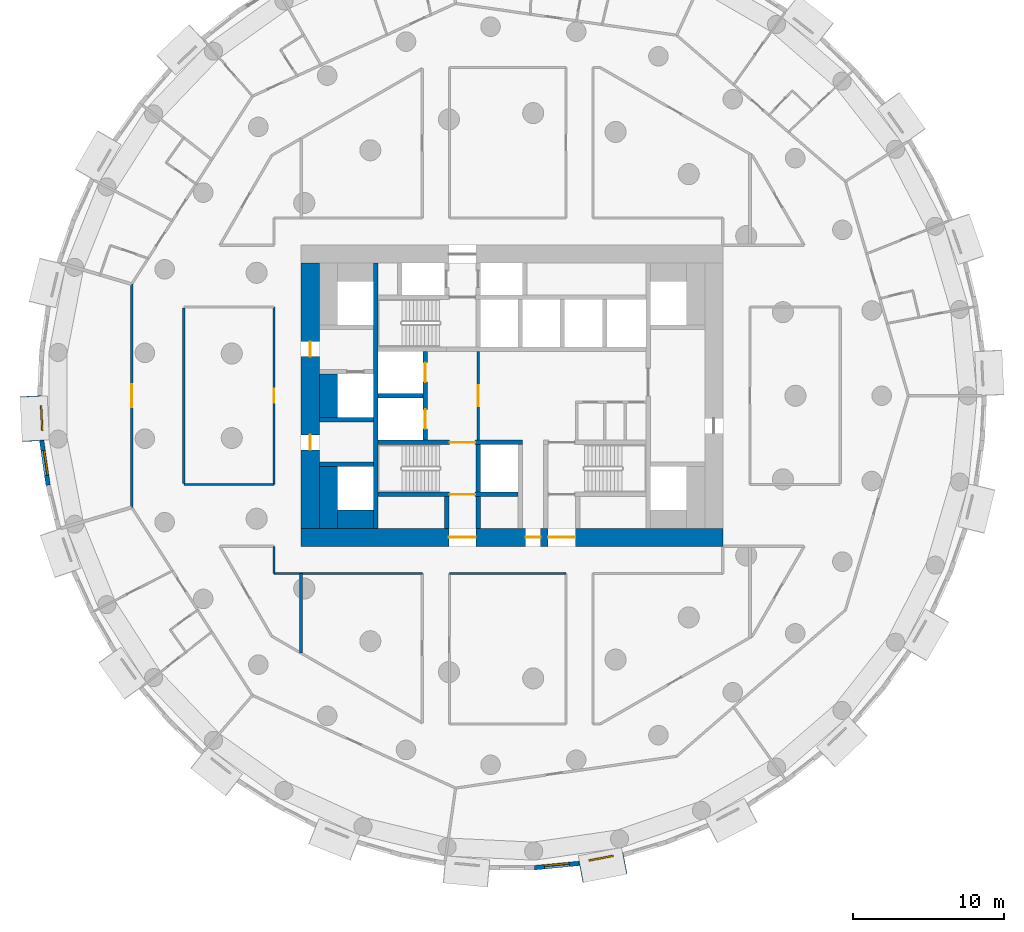
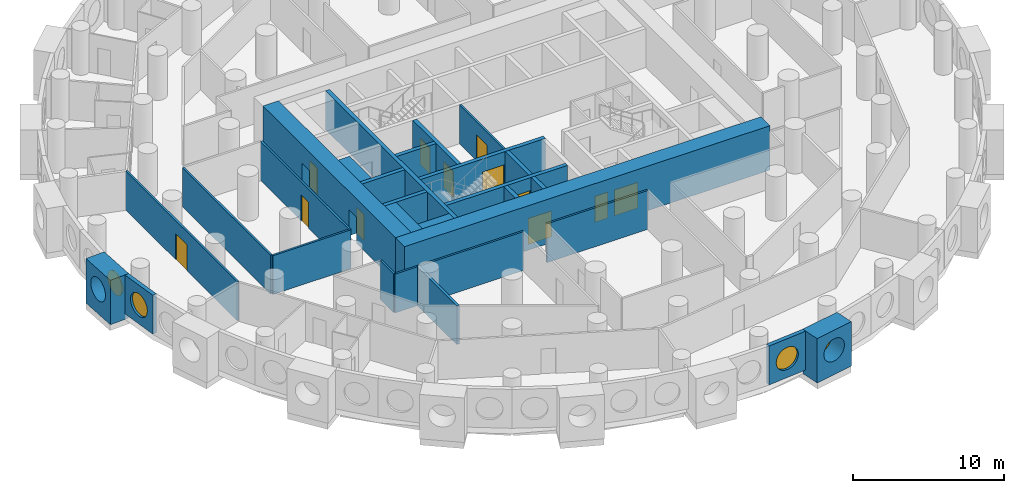
# One storey, part 4 of 12: 28 walls, 12 doors, 4 windows, 16 openings.
"""IFC4 building model written with IfcOpenShell, lengths in metres."""

from ifc_helpers import new_model, si_unit, direction, frame, frame_2d, origin, origin_2d, place, context, subcontext, project, spatial, rectangle, circle, extrude, material, layer, layer_set, type_object, element, fill, save


model = new_model("IFC4")

# Units and contexts
model_context = context("Model", 3, precision=1e-05, world=origin(), true_north=direction((0.0, 1.0)))
body_context = subcontext(model_context, "Body", "Model", "MODEL_VIEW")
ifc_project = project(units=[si_unit("LENGTHUNIT", "METRE"), si_unit("AREAUNIT", "SQUARE_METRE"), si_unit("VOLUMEUNIT", "CUBIC_METRE"), si_unit("PLANEANGLEUNIT", "RADIAN"), si_unit("MASSUNIT", "GRAM", prefix="KILO")], contexts=[model_context])

# Site, building, storey
site_placement = place(None, origin())
site = spatial("IfcSite", under=ifc_project, at=site_placement, CompositionType="ELEMENT")
building_placement = place(site_placement, origin())
building = spatial("IfcBuilding", under=site, at=building_placement, Name="Tracery Tower", CompositionType="ELEMENT")
storey_placement = place(building_placement, frame((0.0, 0.0, 82.199951171875)))
storey = spatial("IfcBuildingStorey", under=building, at=storey_placement, Name="L20", CompositionType="ELEMENT", Elevation=82.199951171875)

# Wall, opening, door
ifc_material_1 = material(Name="Plasterboard on steel studs", Category="steel")
ifc_layer_1 = layer(ifc_material_1, 0.14990234375)
ifc_layer_set_1 = layer_set([ifc_layer_1], Name="Core lobby partition 150")
wall_type_1 = type_object("IfcWallType", Name="Core lobby partition 150", PredefinedType="SOLIDWALL", material=ifc_layer_set_1)
wall_1_placement = place(storey_placement, frame((-2.25, -2.949951171875, 0.0), z_axis=(0.0, 0.0, 1.0), x_axis=(0.0, 1.0, 0.0)))
wall_1 = element("IfcWall", 1, at=wall_1_placement, inside=storey, type_object=wall_type_1, Name="L20 FF lobby E", PredefinedType="SOLIDWALL", context=body_context, shape_type="SweptSolid", body=[
    extrude(rectangle(XDim=5.89990234375, YDim=0.14990234375, at=frame_2d((2.949951171875, 0.0))), origin(), (0.0, 0.0, 1.0), 3.150146484375),
])
opening_1_placement = place(wall_1_placement, frame((2.25, 0.0, 0.0)))
opening_1 = element("IfcOpeningElement", 2, at=opening_1_placement, cuts=wall_1, Name="Opening KD8", PredefinedType="OPENING", context=body_context, shape_type="SweptSolid", body=[
    extrude(rectangle(XDim=1.39990234375, YDim=2.10009765625, at=frame_2d((0.699951171875, 1.050048828125))), frame((0.0, 0.074951171875, 0.0), z_axis=(0.0, -1.0, 0.0), x_axis=(1.0, 0.0, 0.0)), (0.0, 0.0, 1.0), 0.14990234375),
])
ifc_material_2 = material(Name="Steel fire door", Category="steel")
door_type_1 = type_object("IfcDoorType", Name="Core lobby door 1400 double", OperationType="NOTDEFINED", PredefinedType="DOOR", material=ifc_material_2)
door_1_placement = place(opening_1_placement, origin())
door_1 = element("IfcDoor", 3, at=door_1_placement, inside=storey, type_object=door_type_1, Name="Fire-fighting lobby door", OperationType="DOUBLE_DOOR_SINGLE_SWING", OverallHeight=2.10009765625, OverallWidth=1.39990234375, PredefinedType="DOOR", context=body_context, shape_type="SweptSolid", body=[
    extrude(rectangle(XDim=1.39990234375, YDim=2.10009765625, at=frame_2d((0.699951171875, 1.050048828125))), frame((0.0, 0.02490234375, 0.0), z_axis=(0.0, -1.0, 0.0), x_axis=(1.0, 0.0, 0.0)), (0.0, 0.0, 1.0), 0.050048828125),
])
fill(opening_1, door_1)

# Walls
ifc_material_3 = material(Name="Concrete C60/75", Category="concrete")
ifc_layer_2 = layer(ifc_material_3, 1.199951171875)
ifc_layer_set_2 = layer_set([ifc_layer_2], Name="Core strip wall 1200 C60")
wall_type_2 = type_object("IfcWallType", Name="Core strip wall 1200 C60", PredefinedType="SOLIDWALL", material=ifc_layer_set_2)
wall_2_placement = place(storey_placement, frame((-12.199951171875, -8.800048828125, 0.0), z_axis=(0.0, 0.0, 1.0), x_axis=(0.0, 1.0, 0.0)))
element("IfcWall", 4, at=wall_2_placement, inside=storey, type_object=wall_type_2, Name="L20 wing strip -1 -9.4", PredefinedType="SOLIDWALL", context=body_context, shape_type="SweptSolid", body=[
    extrude(rectangle(XDim=4.10009765625, YDim=1.199951171875, at=frame_2d((2.050048828125, 0.0))), origin(), (0.0, 0.0, 1.0), 3.150146484375),
])
wall_3_placement = place(storey_placement, frame((-12.199951171875, -1.449951171875, 0.0), z_axis=(0.0, 0.0, 1.0), x_axis=(0.0, 1.0, 0.0)))
element("IfcWall", 5, at=wall_3_placement, inside=storey, type_object=wall_type_2, Name="L20 wing strip -1 -1.6", PredefinedType="SOLIDWALL", context=body_context, shape_type="SweptSolid", body=[
    extrude(rectangle(XDim=2.89990234375, YDim=1.199951171875, at=frame_2d((1.449951171875, 0.0))), origin(), (0.0, 0.0, 1.0), 3.150146484375),
])
wall_4_placement = place(storey_placement, frame((-11.60009765625, -8.199951171875, 0.0), z_axis=(0.0, 0.0, 1.0), x_axis=(1.0, 0.0, 0.0)))
element("IfcWall", 6, at=wall_4_placement, inside=storey, type_object=wall_type_2, Name="L20 wing corner -1 -8.2", PredefinedType="SOLIDWALL", context=body_context, shape_type="SweptSolid", body=[
    extrude(rectangle(XDim=2.400146484375, YDim=1.199951171875, at=frame_2d((1.2001953125, 0.0))), origin(), (0.0, 0.0, 1.0), 3.150146484375),
])

# Wall, openings, doors
ifc_material_4 = material(Name="Concrete C60/75", Category="concrete")
ifc_layer_3 = layer(ifc_material_4, 1.199951171875)
ifc_layer_set_3 = layer_set([ifc_layer_3], Name="Core wall 1200 C60")
wall_type_3 = type_object("IfcWallType", Name="Core wall 1200 C60", PredefinedType="SOLIDWALL", material=ifc_layer_set_3)
wall_5_placement = place(storey_placement, frame((-14.0, -9.39990234375, 0.0), z_axis=(0.0, 0.0, 1.0), x_axis=(1.0, 0.0, 0.0)))
wall_5 = element("IfcWall", 7, at=wall_5_placement, inside=storey, type_object=wall_type_3, Name="L20 outer S", PredefinedType="SOLIDWALL", context=body_context, shape_type="SweptSolid", body=[
    extrude(rectangle(XDim=28.0, YDim=1.199951171875, at=frame_2d((14.0, 0.0))), origin(), (0.0, 0.0, 1.0), 3.60009765625),
])
opening_2_placement = place(wall_5_placement, frame((14.89990234375, 0.0, 0.0)))
opening_2 = element("IfcOpeningElement", 8, at=opening_2_placement, cuts=wall_5, Name="Opening KD16", PredefinedType="OPENING", context=body_context, shape_type="SweptSolid", body=[
    extrude(rectangle(XDim=1.0, YDim=2.10009765625, at=frame_2d((0.5, 1.050048828125))), frame((0.0, 0.60009765625, 0.0), z_axis=(0.0, -1.0, 0.0), x_axis=(1.0, 0.0, 0.0)), (0.0, 0.0, 1.0), 1.199951171875),
])
opening_3_placement = place(wall_5_placement, frame((9.800048828125, 0.0, 0.0)))
opening_3 = element("IfcOpeningElement", 9, at=opening_3_placement, cuts=wall_5, Name="Opening KD13", PredefinedType="OPENING", context=body_context, shape_type="SweptSolid", body=[
    extrude(rectangle(XDim=1.800048828125, YDim=2.10009765625, at=frame_2d((0.89990234375, 1.050048828125))), frame((0.0, 0.60009765625, 0.0), z_axis=(0.0, -1.0, 0.0), x_axis=(1.0, 0.0, 0.0)), (0.0, 0.0, 1.0), 1.199951171875),
])
opening_4_placement = place(wall_5_placement, frame((16.39990234375, 0.0, 0.0)))
opening_4 = element("IfcOpeningElement", 10, at=opening_4_placement, cuts=wall_5, Name="Opening KD13", PredefinedType="OPENING", context=body_context, shape_type="SweptSolid", body=[
    extrude(rectangle(XDim=1.800048828125, YDim=2.10009765625, at=frame_2d((0.89990234375, 1.050048828125))), frame((0.0, 0.60009765625, 0.0), z_axis=(0.0, -1.0, 0.0), x_axis=(1.0, 0.0, 0.0)), (0.0, 0.0, 1.0), 1.199951171875),
])
ifc_material_5 = material(Name="Steel fire door", Category="steel")
door_type_2 = type_object("IfcDoorType", Name="Core exit door 1000", OperationType="NOTDEFINED", PredefinedType="DOOR", material=ifc_material_5)
door_2_placement = place(opening_2_placement, origin())
door_2 = element("IfcDoor", 11, at=door_2_placement, inside=storey, type_object=door_type_2, Name="Core exit door", OperationType="SINGLE_SWING_LEFT", OverallHeight=2.10009765625, OverallWidth=1.0, PredefinedType="DOOR", context=body_context, shape_type="SweptSolid", body=[
    extrude(rectangle(XDim=1.0, YDim=2.10009765625, at=frame_2d((0.5, 1.050048828125))), frame((0.0, 0.02490234375, 0.0), z_axis=(0.0, -1.0, 0.0), x_axis=(1.0, 0.0, 0.0)), (0.0, 0.0, 1.0), 0.050048828125),
])
fill(opening_2, door_2)
ifc_material_6 = material(Name="Steel fire door", Category="steel")
door_type_3 = type_object("IfcDoorType", Name="Core exit door 1800 double", OperationType="NOTDEFINED", PredefinedType="DOOR", material=ifc_material_6)
door_3_placement = place(opening_3_placement, origin())
door_3 = element("IfcDoor", 12, at=door_3_placement, inside=storey, type_object=door_type_3, Name="Core exit door", OperationType="DOUBLE_DOOR_SINGLE_SWING", OverallHeight=2.10009765625, OverallWidth=1.800048828125, PredefinedType="DOOR", context=body_context, shape_type="SweptSolid", body=[
    extrude(rectangle(XDim=1.800048828125, YDim=2.10009765625, at=frame_2d((0.89990234375, 1.050048828125))), frame((0.0, 0.02490234375, 0.0), z_axis=(0.0, -1.0, 0.0), x_axis=(1.0, 0.0, 0.0)), (0.0, 0.0, 1.0), 0.050048828125),
])
fill(opening_3, door_3)
door_4_placement = place(opening_4_placement, origin())
door_4 = element("IfcDoor", 13, at=door_4_placement, inside=storey, type_object=door_type_3, Name="Core exit door", OperationType="DOUBLE_DOOR_SINGLE_SWING", OverallHeight=2.10009765625, OverallWidth=1.800048828125, PredefinedType="DOOR", context=body_context, shape_type="SweptSolid", body=[
    extrude(rectangle(XDim=1.800048828125, YDim=2.10009765625, at=frame_2d((0.89990234375, 1.050048828125))), frame((0.0, 0.02490234375, 0.0), z_axis=(0.0, -1.0, 0.0), x_axis=(1.0, 0.0, 0.0)), (0.0, 0.0, 1.0), 0.050048828125),
])
fill(opening_4, door_4)

wall_6_placement = place(storey_placement, frame((-13.39990234375, -8.800048828125, 0.0), z_axis=(0.0, 0.0, 1.0), x_axis=(0.0, 1.0, 0.0)))
wall_6 = element("IfcWall", 14, at=wall_6_placement, inside=storey, type_object=wall_type_3, Name="L20 outer W", PredefinedType="SOLIDWALL", context=body_context, shape_type="SweptSolid", body=[
    extrude(rectangle(XDim=17.60009765625, YDim=1.199951171875, at=frame_2d((8.800048828125, 0.0))), origin(), (0.0, 0.0, 1.0), 3.60009765625),
])
opening_5_placement = place(wall_6_placement, frame((5.199951171875, 0.0, 0.0)))
opening_5 = element("IfcOpeningElement", 15, at=opening_5_placement, cuts=wall_6, Name="Opening KD18", PredefinedType="OPENING", context=body_context, shape_type="SweptSolid", body=[
    extrude(rectangle(XDim=1.0, YDim=2.10009765625, at=frame_2d((0.5, 1.050048828125))), frame((0.0, 0.60009765625, 0.0), z_axis=(0.0, -1.0, 0.0), x_axis=(1.0, 0.0, 0.0)), (0.0, 0.0, 1.0), 1.199951171875),
])
opening_6_placement = place(wall_6_placement, frame((11.39990234375, 0.0, 0.0)))
opening_6 = element("IfcOpeningElement", 16, at=opening_6_placement, cuts=wall_6, Name="Opening KD18", PredefinedType="OPENING", context=body_context, shape_type="SweptSolid", body=[
    extrude(rectangle(XDim=1.0, YDim=2.10009765625, at=frame_2d((0.5, 1.050048828125))), frame((0.0, 0.60009765625, 0.0), z_axis=(0.0, -1.0, 0.0), x_axis=(1.0, 0.0, 0.0)), (0.0, 0.0, 1.0), 1.199951171875),
])
door_5_placement = place(opening_5_placement, origin())
door_5 = element("IfcDoor", 17, at=door_5_placement, inside=storey, type_object=door_type_2, Name="Core exit door", OperationType="DOUBLE_DOOR_SINGLE_SWING", OverallHeight=2.10009765625, OverallWidth=1.0, PredefinedType="DOOR", context=body_context, shape_type="SweptSolid", body=[
    extrude(rectangle(XDim=1.0, YDim=2.10009765625, at=frame_2d((0.5, 1.050048828125))), frame((0.0, 0.02490234375, 0.0), z_axis=(0.0, -1.0, 0.0), x_axis=(1.0, 0.0, 0.0)), (0.0, 0.0, 1.0), 0.050048828125),
])
fill(opening_5, door_5)
door_6_placement = place(opening_6_placement, origin())
door_6 = element("IfcDoor", 18, at=door_6_placement, inside=storey, type_object=door_type_2, Name="Core exit door", OperationType="DOUBLE_DOOR_SINGLE_SWING", OverallHeight=2.10009765625, OverallWidth=1.0, PredefinedType="DOOR", context=body_context, shape_type="SweptSolid", body=[
    extrude(rectangle(XDim=1.0, YDim=2.10009765625, at=frame_2d((0.5, 1.050048828125))), frame((0.0, 0.02490234375, 0.0), z_axis=(0.0, -1.0, 0.0), x_axis=(1.0, 0.0, 0.0)), (0.0, 0.0, 1.0), 0.050048828125),
])
fill(opening_6, door_6)

# Wall, opening, window
ifc_material_7 = material(Name="Precast concrete C50/60", Category="concrete")
ifc_layer_4 = layer(ifc_material_7, 1.449951171875)
ifc_layer_set_4 = layer_set([ifc_layer_4], Name="Deep-set bay unit 3000 x 3600, slab edge 450")
wall_type_4 = type_object("IfcWallType", Name="Deep-set bay unit 3000 x 3600, slab edge 450", PredefinedType="ELEMENTEDWALL", material=ifc_layer_set_4)
wall_7_placement = place(storey_placement, frame((-31.94921875, -0.020263671875, -0.449951171875), z_axis=(0.0, 0.0, 1.0), x_axis=(0.047607680889, -0.998866111509, 0.0)))
wall_7 = element("IfcWall", 19, at=wall_7_placement, inside=storey, type_object=wall_type_4, Name="Deep-set bay unit 34 at L20", PredefinedType="ELEMENTEDWALL", context=body_context, shape_type="SweptSolid", body=[
    extrude(rectangle(XDim=3.0, YDim=1.449951171875, at=frame_2d((1.5, 0.0))), origin(), (0.0, 0.0, 1.0), 3.60009765625),
])
opening_7_placement = place(wall_7_placement, frame((1.5, 0.0, 2.0)))
opening_7 = element("IfcOpeningElement", 20, at=opening_7_placement, cuts=wall_7, Name="Opening WN1", PredefinedType="OPENING", context=body_context, shape_type="SweptSolid", body=[
    extrude(circle(Radius=0.9000244140625, at=origin_2d()), frame((0.0, 0.73486328125, 0.0), z_axis=(0.0, -1.0, 0.0), x_axis=(1.0, 0.0, 0.0)), (0.0, 0.0, 1.0), 1.469970703125),
])
ifc_material_8 = material(Name="Aluminium frame with tinted double glazing", Category="aluminium")
window_type = type_object("IfcWindowType", Name="Round window 1800", PartitioningType="SINGLE_PANEL", PredefinedType="WINDOW", material=ifc_material_8)
window_1_placement = place(opening_7_placement, origin())
window_1 = element("IfcWindow", 21, at=window_1_placement, inside=storey, type_object=window_type, Name="Round window 34 at L20", OverallHeight=1.800048828125, OverallWidth=1.800048828125, PartitioningType="SINGLE_PANEL", PredefinedType="WINDOW", context=body_context, shape_type="SweptSolid", body=[
    extrude(circle(Radius=0.9000244140625, at=origin_2d()), frame((0.0, 0.69482421875, 0.0), z_axis=(0.0, -1.0, 0.0), x_axis=(1.0, 0.0, 0.0)), (0.0, 0.0, 1.0), 0.10009765625),
])
fill(opening_7, window_1)

wall_8_placement = place(storey_placement, frame((4.56689453125, -31.62109375, -0.449951171875), z_axis=(0.0, 0.0, 1.0), x_axis=(0.981921602273, 0.189288052949, 0.0)))
wall_8 = element("IfcWall", 22, at=wall_8_placement, inside=storey, type_object=wall_type_4, Name="Deep-set bay unit 52 at L20", PredefinedType="ELEMENTEDWALL", context=body_context, shape_type="SweptSolid", body=[
    extrude(rectangle(XDim=3.0, YDim=1.449951171875, at=frame_2d((1.5, 0.0))), origin(), (0.0, 0.0, 1.0), 3.60009765625),
])
opening_8_placement = place(wall_8_placement, frame((1.5, 0.0, 2.0)))
opening_8 = element("IfcOpeningElement", 23, at=opening_8_placement, cuts=wall_8, Name="Opening WN1", PredefinedType="OPENING", context=body_context, shape_type="SweptSolid", body=[
    extrude(circle(Radius=0.9000244140625, at=origin_2d()), frame((0.0, 0.73486328125, 0.0), z_axis=(0.0, -1.0, 0.0), x_axis=(1.0, 0.0, 0.0)), (0.0, 0.0, 1.0), 1.469970703125),
])
window_2_placement = place(opening_8_placement, origin())
window_2 = element("IfcWindow", 24, at=window_2_placement, inside=storey, type_object=window_type, Name="Round window 52 at L20", OverallHeight=1.800048828125, OverallWidth=1.800048828125, PartitioningType="SINGLE_PANEL", PredefinedType="WINDOW", context=body_context, shape_type="SweptSolid", body=[
    extrude(circle(Radius=0.9000244140625, at=origin_2d()), frame((0.0, 0.69482421875, 0.0), z_axis=(0.0, -1.0, 0.0), x_axis=(1.0, 0.0, 0.0)), (0.0, 0.0, 1.0), 0.10009765625),
])
fill(opening_8, window_2)

ifc_material_9 = material(Name="Precast concrete C50/60", Category="concrete")
ifc_layer_5 = layer(ifc_material_9, 0.300048828125)
ifc_layer_set_5 = layer_set([ifc_layer_5], Name="Facade panel 3000 x 3150")
wall_type_5 = type_object("IfcWallType", Name="Facade panel 3000 x 3150", PredefinedType="SOLIDWALL", material=ifc_layer_set_5)
wall_9_placement = place(storey_placement, frame((-31.2314453125, -2.98828125, 0.0), z_axis=(0.0, 0.0, 1.0), x_axis=(0.142315996627, -0.989821275334, 0.0)))
wall_9 = element("IfcWall", 25, at=wall_9_placement, inside=storey, type_object=wall_type_5, Name="Facade panel 35 at L20", PredefinedType="SOLIDWALL", context=body_context, shape_type="SweptSolid", body=[
    extrude(rectangle(XDim=2.979736328125, YDim=0.300048828125, at=frame_2d((1.48974609375, 0.0))), origin(), (0.0, 0.0, 1.0), 3.150146484375),
])
opening_9_placement = place(wall_9_placement, frame((1.48974609375, 0.0, 1.5498046875)))
opening_9 = element("IfcOpeningElement", 26, at=opening_9_placement, cuts=wall_9, Name="Opening WN1", PredefinedType="OPENING", context=body_context, shape_type="SweptSolid", body=[
    extrude(circle(Radius=0.9000244140625, at=origin_2d()), frame((0.0, 0.159912109375, 0.0), z_axis=(0.0, -1.0, 0.0), x_axis=(1.0, 0.0, 0.0)), (0.0, 0.0, 1.0), 0.320068359375),
])
window_3_placement = place(opening_9_placement, origin())
window_3 = element("IfcWindow", 27, at=window_3_placement, inside=storey, type_object=window_type, Name="Round window 35 at L20", OverallHeight=1.800048828125, OverallWidth=1.800048828125, PartitioningType="SINGLE_PANEL", PredefinedType="WINDOW", context=body_context, shape_type="SweptSolid", body=[
    extrude(circle(Radius=0.9000244140625, at=origin_2d()), frame((0.0, 0.1201171875, 0.0), z_axis=(0.0, -1.0, 0.0), x_axis=(1.0, 0.0, 0.0)), (0.0, 0.0, 1.0), 0.10009765625),
])
fill(opening_9, window_3)

wall_10_placement = place(storey_placement, frame((1.492919921875, -31.3388671875, 0.0), z_axis=(0.0, 0.0, 1.0), x_axis=(0.995472611385, 0.095048829468, 0.0)))
wall_10 = element("IfcWall", 28, at=wall_10_placement, inside=storey, type_object=wall_type_5, Name="Facade panel 51 at L20", PredefinedType="SOLIDWALL", context=body_context, shape_type="SweptSolid", body=[
    extrude(rectangle(XDim=2.9794921875, YDim=0.300048828125, at=frame_2d((1.48974609375, 0.0))), origin(), (0.0, 0.0, 1.0), 3.150146484375),
])
opening_10_placement = place(wall_10_placement, frame((1.48974609375, 0.0, 1.5498046875)))
opening_10 = element("IfcOpeningElement", 29, at=opening_10_placement, cuts=wall_10, Name="Opening WN1", PredefinedType="OPENING", context=body_context, shape_type="SweptSolid", body=[
    extrude(circle(Radius=0.9000244140625, at=origin_2d()), frame((0.0, 0.159912109375, 0.0), z_axis=(0.0, -1.0, 0.0), x_axis=(1.0, 0.0, 0.0)), (0.0, 0.0, 1.0), 0.320068359375),
])
window_4_placement = place(opening_10_placement, origin())
window_4 = element("IfcWindow", 30, at=window_4_placement, inside=storey, type_object=window_type, Name="Round window 51 at L20", OverallHeight=1.800048828125, OverallWidth=1.800048828125, PartitioningType="SINGLE_PANEL", PredefinedType="WINDOW", context=body_context, shape_type="SweptSolid", body=[
    extrude(circle(Radius=0.9000244140625, at=origin_2d()), frame((0.0, 0.1201171875, 0.0), z_axis=(0.0, -1.0, 0.0), x_axis=(1.0, 0.0, 0.0)), (0.0, 0.0, 1.0), 0.10009765625),
])
fill(opening_10, window_4)

# Walls
ifc_material_10 = material(Name="Plasterboard on steel studs", Category="steel")
ifc_layer_6 = layer(ifc_material_10, 0.14990234375)
ifc_layer_set_6 = layer_set([ifc_layer_6], Name="Partition 150 corridor wall")
wall_type_6 = type_object("IfcWallType", Name="Partition 150 corridor wall", PredefinedType="PARTITIONING", material=ifc_layer_set_6)
wall_11_placement = place(storey_placement, frame((-15.800048828125, -11.800048828125, 0.0), z_axis=(0.0, 0.0, 1.0), x_axis=(1.0, 0.0, 0.0)))
element("IfcWall", 31, at=wall_11_placement, inside=storey, type_object=wall_type_6, Name="Corridor wall RA6-006", PredefinedType="PARTITIONING", context=body_context, shape_type="SweptSolid", body=[
    extrude(rectangle(XDim=9.843994140625, YDim=0.14990234375, at=frame_2d((4.921875, 0.0))), origin(), (0.0, 0.0, 1.0), 3.150146484375),
])
wall_12_placement = place(storey_placement, frame((-4.1640625, -11.800048828125, 0.0), z_axis=(0.0, 0.0, 1.0), x_axis=(1.0, 0.0, 0.0)))
element("IfcWall", 32, at=wall_12_placement, inside=storey, type_object=wall_type_6, Name="Corridor wall RA6-007", PredefinedType="PARTITIONING", context=body_context, shape_type="SweptSolid", body=[
    extrude(rectangle(XDim=7.744140625, YDim=0.14990234375, at=frame_2d((3.8720703125, 0.0))), origin(), (0.0, 0.0, 1.0), 3.150146484375),
])
wall_13_placement = place(storey_placement, frame((-15.800048828125, -11.800048828125, 0.0), z_axis=(0.0, 0.0, 1.0), x_axis=(0.0, 1.0, 0.0)))
element("IfcWall", 33, at=wall_13_placement, inside=storey, type_object=wall_type_6, Name="Corridor wall RA6-010", PredefinedType="PARTITIONING", context=body_context, shape_type="SweptSolid", body=[
    extrude(rectangle(XDim=1.800048828125, YDim=0.14990234375, at=frame_2d((0.89990234375, 0.0))), origin(), (0.0, 0.0, 1.0), 3.150146484375),
])

# Wall, opening, door
wall_14_placement = place(storey_placement, frame((-15.800048828125, -5.904052734375, 0.0), z_axis=(0.0, 0.0, 1.0), x_axis=(0.0, 1.0, 0.0)))
wall_14 = element("IfcWall", 34, at=wall_14_placement, inside=storey, type_object=wall_type_6, Name="Corridor wall RA6-014", PredefinedType="PARTITIONING", context=body_context, shape_type="SweptSolid", body=[
    extrude(rectangle(XDim=11.80810546875, YDim=0.14990234375, at=frame_2d((5.904052734375, 0.0))), origin(), (0.0, 0.0, 1.0), 3.150146484375),
])
opening_11_placement = place(wall_14_placement, frame((5.428955078125, 0.0, 0.0)))
opening_11 = element("IfcOpeningElement", 35, at=opening_11_placement, cuts=wall_14, Name="Opening RA6-08", PredefinedType="OPENING", context=body_context, shape_type="SweptSolid", body=[
    extrude(rectangle(XDim=0.949951171875, YDim=2.10009765625, at=frame_2d((0.47509765625, 1.050048828125))), frame((0.0, 0.074951171875, 0.0), z_axis=(0.0, -1.0, 0.0), x_axis=(1.0, 0.0, 0.0)), (0.0, 0.0, 1.0), 0.14990234375),
])
ifc_material_11 = material(Name="Timber door leaf", Category="wood")
door_type_4 = type_object("IfcDoorType", Name="Door store 950", OperationType="NOTDEFINED", PredefinedType="DOOR", material=ifc_material_11)
door_7_placement = place(opening_11_placement, origin())
door_7 = element("IfcDoor", 36, at=door_7_placement, inside=storey, type_object=door_type_4, Name="Store door RA6-08", OperationType="SINGLE_SWING_RIGHT", OverallHeight=2.10009765625, OverallWidth=0.949951171875, PredefinedType="DOOR", context=body_context, shape_type="SweptSolid", body=[
    extrude(rectangle(XDim=0.949951171875, YDim=2.10009765625, at=frame_2d((0.47509765625, 1.050048828125))), frame((0.0, 0.02490234375, 0.0), z_axis=(0.0, -1.0, 0.0), x_axis=(1.0, 0.0, 0.0)), (0.0, 0.0, 1.0), 0.050048828125),
])
fill(opening_11, door_7)

# Walls
wall_15_placement = place(storey_placement, frame((-21.802001953125, -5.842041015625, 0.0), z_axis=(0.0, 0.0, 1.0), x_axis=(0.0, 1.0, 0.0)))
element("IfcWall", 37, at=wall_15_placement, inside=storey, type_object=wall_type_6, Name="Corridor wall RA6-036", PredefinedType="PARTITIONING", context=body_context, shape_type="SweptSolid", body=[
    extrude(rectangle(XDim=11.68408203125, YDim=0.14990234375, at=frame_2d((5.842041015625, 0.0))), origin(), (0.0, 0.0, 1.0), 3.150146484375),
])
wall_16_placement = place(storey_placement, frame((-21.76806640625, -5.89990234375, 0.0), z_axis=(0.0, 0.0, 1.0), x_axis=(1.0, 0.0, 0.0)))
element("IfcWall", 38, at=wall_16_placement, inside=storey, type_object=wall_type_6, Name="Corridor wall RA6-037", PredefinedType="PARTITIONING", context=body_context, shape_type="SweptSolid", body=[
    extrude(rectangle(XDim=5.968017578125, YDim=0.14990234375, at=frame_2d((2.98388671875, 0.0))), origin(), (0.0, 0.0, 1.0), 3.150146484375),
])

# Wall, opening, door
wall_17_placement = place(storey_placement, frame((-25.2529296875, -7.4150390625, 0.0), z_axis=(0.0, 0.0, 1.0), x_axis=(0.0, 1.0, 0.0)))
wall_17 = element("IfcWall", 39, at=wall_17_placement, inside=storey, type_object=wall_type_6, Name="Corridor wall RA6-042", PredefinedType="PARTITIONING", context=body_context, shape_type="SweptSolid", body=[
    extrude(rectangle(XDim=14.830078125, YDim=0.14990234375, at=frame_2d((7.4150390625, 0.0))), origin(), (0.0, 0.0, 1.0), 3.150146484375),
])
opening_12_placement = place(wall_17_placement, frame((6.6650390625, 0.0, 0.0)))
opening_12 = element("IfcOpeningElement", 40, at=opening_12_placement, cuts=wall_17, Name="Opening RA6-35", PredefinedType="OPENING", context=body_context, shape_type="SweptSolid", body=[
    extrude(rectangle(XDim=1.5, YDim=2.10009765625, at=frame_2d((0.75, 1.050048828125))), frame((0.0, 0.074951171875, 0.0), z_axis=(0.0, -1.0, 0.0), x_axis=(1.0, 0.0, 0.0)), (0.0, 0.0, 1.0), 0.14990234375),
])
ifc_material_12 = material(Name="Timber door leaf", Category="wood")
door_type_5 = type_object("IfcDoorType", Name="Door double kitchen 1500", OperationType="NOTDEFINED", PredefinedType="DOOR", material=ifc_material_12)
door_8_placement = place(opening_12_placement, origin())
door_8 = element("IfcDoor", 41, at=door_8_placement, inside=storey, type_object=door_type_5, Name="Double kitchen door RA6-35", OperationType="DOUBLE_DOOR_SINGLE_SWING", OverallHeight=2.10009765625, OverallWidth=1.5, PredefinedType="DOOR", context=body_context, shape_type="SweptSolid", body=[
    extrude(rectangle(XDim=1.5, YDim=2.10009765625, at=frame_2d((0.75, 1.050048828125))), frame((0.0, 0.02490234375, 0.0), z_axis=(0.0, -1.0, 0.0), x_axis=(1.0, 0.0, 0.0)), (0.0, 0.0, 1.0), 0.050048828125),
])
fill(opening_12, door_8)

# Walls
ifc_material_13 = material(Name="Plasterboard on steel studs", Category="steel")
ifc_layer_7 = layer(ifc_material_13, 0.199951171875)
ifc_layer_set_7 = layer_set([ifc_layer_7], Name="Partition 200 compartment wall")
wall_type_7 = type_object("IfcWallType", Name="Partition 200 compartment wall", PredefinedType="PARTITIONING", material=ifc_layer_set_7)
wall_18_placement = place(storey_placement, frame((-14.0, -17.092041015625, 0.0), z_axis=(0.0, 0.0, 1.0), x_axis=(0.0, 1.0, 0.0)))
element("IfcWall", 42, at=wall_18_placement, inside=storey, type_object=wall_type_7, Name="Compartment wall RA6-056", PredefinedType="PARTITIONING", context=body_context, shape_type="SweptSolid", body=[
    extrude(rectangle(XDim=5.2919921875, YDim=0.199951171875, at=frame_2d((2.64599609375, 0.0))), origin(), (0.0, 0.0, 1.0), 3.150146484375),
])
ifc_material_14 = material(Name="Concrete C60/75", Category="concrete")
ifc_layer_8 = layer(ifc_material_14, 0.300048828125)
ifc_layer_set_8 = layer_set([ifc_layer_8], Name="Shaft wall 300 C60")
wall_type_8 = type_object("IfcWallType", Name="Shaft wall 300 C60", PredefinedType="SOLIDWALL", material=ifc_layer_set_8)
wall_19_placement = place(storey_placement, frame((-8.89990234375, 0.0, 0.0), z_axis=(0.0, 0.0, 1.0), x_axis=(1.0, 0.0, 0.0)))
element("IfcWall", 43, at=wall_19_placement, inside=storey, type_object=wall_type_8, Name="L20 FF split", PredefinedType="SOLIDWALL", context=body_context, shape_type="SweptSolid", body=[
    extrude(rectangle(XDim=3.0, YDim=0.300048828125, at=frame_2d((1.5, 0.0))), origin(), (0.0, 0.0, 1.0), 3.150146484375),
])

# Wall, openings, doors
wall_20_placement = place(storey_placement, frame((-5.75, -2.949951171875, 0.0), z_axis=(0.0, 0.0, 1.0), x_axis=(0.0, 1.0, 0.0)))
wall_20 = element("IfcWall", 44, at=wall_20_placement, inside=storey, type_object=wall_type_8, Name="L20 FF doors", PredefinedType="SOLIDWALL", context=body_context, shape_type="SweptSolid", body=[
    extrude(rectangle(XDim=5.89990234375, YDim=0.300048828125, at=frame_2d((2.949951171875, 0.0))), origin(), (0.0, 0.0, 1.0), 3.150146484375),
])
opening_13_placement = place(wall_20_placement, frame((0.75, 0.0, 0.0)))
opening_13 = element("IfcOpeningElement", 45, at=opening_13_placement, cuts=wall_20, Name="Opening KD54", PredefinedType="OPENING", context=body_context, shape_type="SweptSolid", body=[
    extrude(rectangle(XDim=1.300048828125, YDim=2.10009765625, at=frame_2d((0.64990234375, 1.050048828125))), frame((0.0, 0.14990234375, 0.0), z_axis=(0.0, -1.0, 0.0), x_axis=(1.0, 0.0, 0.0)), (0.0, 0.0, 1.0), 0.300048828125),
])
opening_14_placement = place(wall_20_placement, frame((3.85009765625, 0.0, 0.0)))
opening_14 = element("IfcOpeningElement", 46, at=opening_14_placement, cuts=wall_20, Name="Opening KD55", PredefinedType="OPENING", context=body_context, shape_type="SweptSolid", body=[
    extrude(rectangle(XDim=1.300048828125, YDim=2.10009765625, at=frame_2d((0.64990234375, 1.050048828125))), frame((0.0, 0.14990234375, 0.0), z_axis=(0.0, -1.0, 0.0), x_axis=(1.0, 0.0, 0.0)), (0.0, 0.0, 1.0), 0.300048828125),
])
ifc_material_15 = material(Name="Steel fire door", Category="steel")
door_type_6 = type_object("IfcDoorType", Name="Landing door FF 1300", OperationType="NOTDEFINED", PredefinedType="DOOR", material=ifc_material_15)
door_9_placement = place(opening_13_placement, origin())
door_9 = element("IfcDoor", 47, at=door_9_placement, inside=storey, type_object=door_type_6, Name="Landing door FF1", OperationType="SLIDING_TO_LEFT", OverallHeight=2.10009765625, OverallWidth=1.300048828125, PredefinedType="DOOR", context=body_context, shape_type="SweptSolid", body=[
    extrude(rectangle(XDim=1.300048828125, YDim=2.10009765625, at=frame_2d((0.64990234375, 1.050048828125))), frame((0.0, 0.02490234375, 0.0), z_axis=(0.0, -1.0, 0.0), x_axis=(1.0, 0.0, 0.0)), (0.0, 0.0, 1.0), 0.050048828125),
])
fill(opening_13, door_9)
door_10_placement = place(opening_14_placement, origin())
door_10 = element("IfcDoor", 48, at=door_10_placement, inside=storey, type_object=door_type_6, Name="Landing door FF2", OperationType="SLIDING_TO_RIGHT", OverallHeight=2.10009765625, OverallWidth=1.300048828125, PredefinedType="DOOR", context=body_context, shape_type="SweptSolid", body=[
    extrude(rectangle(XDim=1.300048828125, YDim=2.10009765625, at=frame_2d((0.64990234375, 1.050048828125))), frame((0.0, 0.02490234375, 0.0), z_axis=(0.0, -1.0, 0.0), x_axis=(1.0, 0.0, 0.0)), (0.0, 0.0, 1.0), 0.050048828125),
])
fill(opening_14, door_10)

# Walls
wall_21_placement = place(storey_placement, frame((-4.35009765625, -8.800048828125, 0.0), z_axis=(0.0, 0.0, 1.0), x_axis=(0.0, 1.0, 0.0)))
element("IfcWall", 49, at=wall_21_placement, inside=storey, type_object=wall_type_8, Name="L20 band S -4.35", PredefinedType="SOLIDWALL", context=body_context, shape_type="SweptSolid", body=[
    extrude(rectangle(XDim=2.10009765625, YDim=0.300048828125, at=frame_2d((1.050048828125, 0.0))), origin(), (0.0, 0.0, 1.0), 3.150146484375),
])
for number, where, z_axis, x_axis, name in (
    (50, (-12.800048828125, -4.550048828125, 0.0), (0.0, 0.0, 1.0), (1.0, 0.0, 0.0), "L20 wing shaft wall -1 -4.55"),
    (51, (-12.800048828125, -1.60009765625, 0.0), (0.0, 0.0, 1.0), (1.0, 0.0, 0.0), "L20 wing shaft wall -1 -1.60"),
):
    element("IfcWall", number, at=place(storey_placement, frame(where, z_axis=z_axis, x_axis=x_axis)), inside=storey, type_object=wall_type_8, Name=name, PredefinedType="SOLIDWALL", context=body_context, shape_type="SweptSolid", body=[
        extrude(rectangle(XDim=3.60009765625, YDim=0.300048828125, at=frame_2d((1.800048828125, 0.0))), origin(), (0.0, 0.0, 1.0), 3.150146484375),
    ])

# Wall, opening, door
ifc_material_16 = material(Name="Concrete C60/75", Category="concrete")
ifc_layer_9 = layer(ifc_material_16, 0.300048828125)
ifc_layer_set_9 = layer_set([ifc_layer_9], Name="Stair wall 300 C60")
wall_type_9 = type_object("IfcWallType", Name="Stair wall 300 C60", PredefinedType="SOLIDWALL", material=ifc_layer_set_9)
wall_22_placement = place(storey_placement, frame((-8.89990234375, -3.10009765625, 0.0), z_axis=(0.0, 0.0, 1.0), x_axis=(1.0, 0.0, 0.0)))
wall_22 = element("IfcWall", 52, at=wall_22_placement, inside=storey, type_object=wall_type_9, Name="L20 row S", PredefinedType="SOLIDWALL", context=body_context, shape_type="SweptSolid", body=[
    extrude(rectangle(XDim=9.599853515625, YDim=0.300048828125, at=frame_2d((4.7998046875, 0.0))), origin(), (0.0, 0.0, 1.0), 3.150146484375),
])
opening_15_placement = place(wall_22_placement, frame((4.75, 0.0, 0.0)))
opening_15 = element("IfcOpeningElement", 53, at=opening_15_placement, cuts=wall_22, Name="Opening KD3", PredefinedType="OPENING", context=body_context, shape_type="SweptSolid", body=[
    extrude(rectangle(XDim=1.699951171875, YDim=2.10009765625, at=frame_2d((0.85009765625, 1.050048828125))), frame((0.0, 0.14990234375, 0.0), z_axis=(0.0, -1.0, 0.0), x_axis=(1.0, 0.0, 0.0)), (0.0, 0.0, 1.0), 0.300048828125),
])
ifc_material_17 = material(Name="Steel fire door", Category="steel")
door_type_7 = type_object("IfcDoorType", Name="Core stair door 1700 double", OperationType="NOTDEFINED", PredefinedType="DOOR", material=ifc_material_17)
door_11_placement = place(opening_15_placement, origin())
door_11 = element("IfcDoor", 54, at=door_11_placement, inside=storey, type_object=door_type_7, Name="Stair door ST1", OperationType="DOUBLE_DOOR_SINGLE_SWING", OverallHeight=2.10009765625, OverallWidth=1.699951171875, PredefinedType="DOOR", context=body_context, shape_type="SweptSolid", body=[
    extrude(rectangle(XDim=1.699951171875, YDim=2.10009765625, at=frame_2d((0.85009765625, 1.050048828125))), frame((0.0, 0.02490234375, 0.0), z_axis=(0.0, -1.0, 0.0), x_axis=(1.0, 0.0, 0.0)), (0.0, 0.0, 1.0), 0.050048828125),
])
fill(opening_15, door_11)

# Walls
wall_23_placement = place(storey_placement, frame((-2.25, -6.39990234375, 0.0), z_axis=(0.0, 0.0, 1.0), x_axis=(0.0, 1.0, 0.0)))
element("IfcWall", 55, at=wall_23_placement, inside=storey, type_object=wall_type_9, Name="L20 ST1 E", PredefinedType="SOLIDWALL", context=body_context, shape_type="SweptSolid", body=[
    extrude(rectangle(XDim=3.14990234375, YDim=0.300048828125, at=frame_2d((1.574951171875, 0.0))), origin(), (0.0, 0.0, 1.0), 3.150146484375),
])
wall_24_placement = place(storey_placement, frame((-9.050048828125, -8.800048828125, 0.0), z_axis=(0.0, 0.0, 1.0), x_axis=(0.0, 1.0, 0.0)))
element("IfcWall", 56, at=wall_24_placement, inside=storey, type_object=wall_type_9, Name="L20 F wall -9", PredefinedType="SOLIDWALL", context=body_context, shape_type="SweptSolid", body=[
    extrude(rectangle(XDim=17.60009765625, YDim=0.300048828125, at=frame_2d((8.800048828125, 0.0))), origin(), (0.0, 0.0, 1.0), 3.150146484375),
])

# Wall, opening, door
wall_25_placement = place(storey_placement, frame((-8.89990234375, -6.550048828125, 0.0), z_axis=(0.0, 0.0, 1.0), x_axis=(1.0, 0.0, 0.0)))
wall_25 = element("IfcWall", 57, at=wall_25_placement, inside=storey, type_object=wall_type_9, Name="L20 F S W", PredefinedType="SOLIDWALL", context=body_context, shape_type="SweptSolid", body=[
    extrude(rectangle(XDim=9.2998046875, YDim=0.300048828125, at=frame_2d((4.64990234375, 0.0))), origin(), (0.0, 0.0, 1.0), 3.150146484375),
])
opening_16_placement = place(wall_25_placement, frame((4.75, 0.0, 0.0)))
opening_16 = element("IfcOpeningElement", 58, at=opening_16_placement, cuts=wall_25, Name="Opening KD3", PredefinedType="OPENING", context=body_context, shape_type="SweptSolid", body=[
    extrude(rectangle(XDim=1.699951171875, YDim=2.10009765625, at=frame_2d((0.85009765625, 1.050048828125))), frame((0.0, 0.14990234375, 0.0), z_axis=(0.0, -1.0, 0.0), x_axis=(1.0, 0.0, 0.0)), (0.0, 0.0, 1.0), 0.300048828125),
])
door_12_placement = place(opening_16_placement, origin())
door_12 = element("IfcDoor", 59, at=door_12_placement, inside=storey, type_object=door_type_7, Name="Stair door ST1 S", OperationType="DOUBLE_DOOR_SINGLE_SWING", OverallHeight=2.10009765625, OverallWidth=1.699951171875, PredefinedType="DOOR", context=body_context, shape_type="SweptSolid", body=[
    extrude(rectangle(XDim=1.699951171875, YDim=2.10009765625, at=frame_2d((0.85009765625, 1.050048828125))), frame((0.0, 0.02490234375, 0.0), z_axis=(0.0, -1.0, 0.0), x_axis=(1.0, 0.0, 0.0)), (0.0, 0.0, 1.0), 0.050048828125),
])
fill(opening_16, door_12)

# Wall
wall_26_placement = place(storey_placement, frame((-2.25, -8.800048828125, 0.0), z_axis=(0.0, 0.0, 1.0), x_axis=(0.0, 1.0, 0.0)))
element("IfcWall", 60, at=wall_26_placement, inside=storey, type_object=wall_type_9, Name="L20 ST1 E out", PredefinedType="SOLIDWALL", context=body_context, shape_type="SweptSolid", body=[
    extrude(rectangle(XDim=2.10009765625, YDim=0.300048828125, at=frame_2d((1.050048828125, 0.0))), origin(), (0.0, 0.0, 1.0), 3.150146484375),
])

save(model, "model.ifc")
